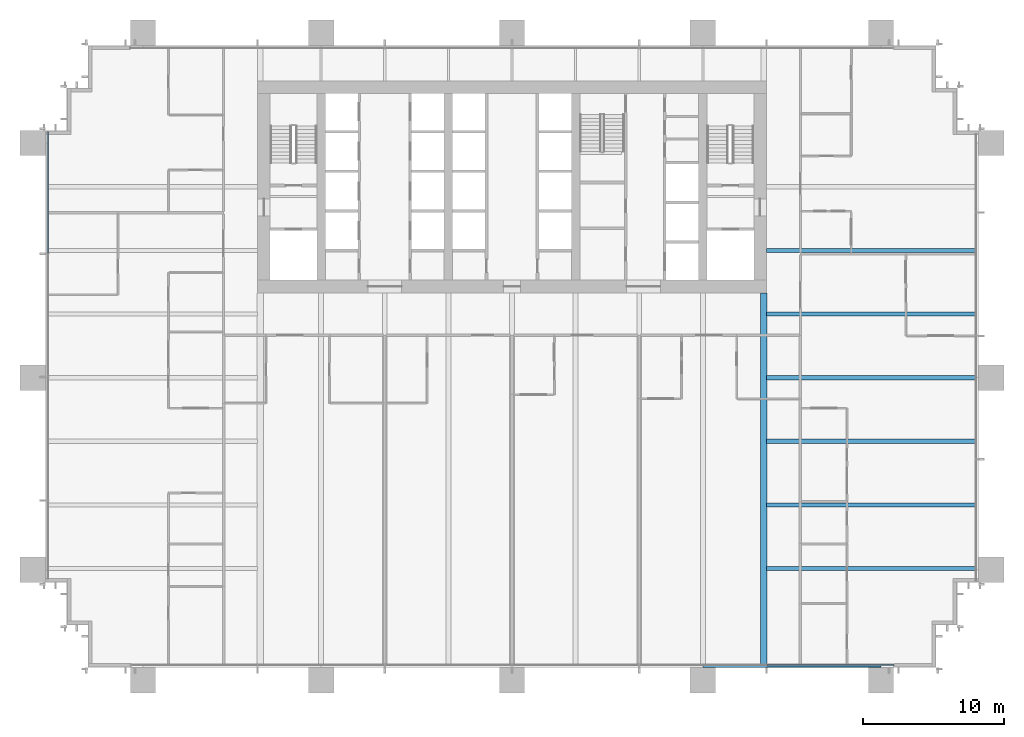
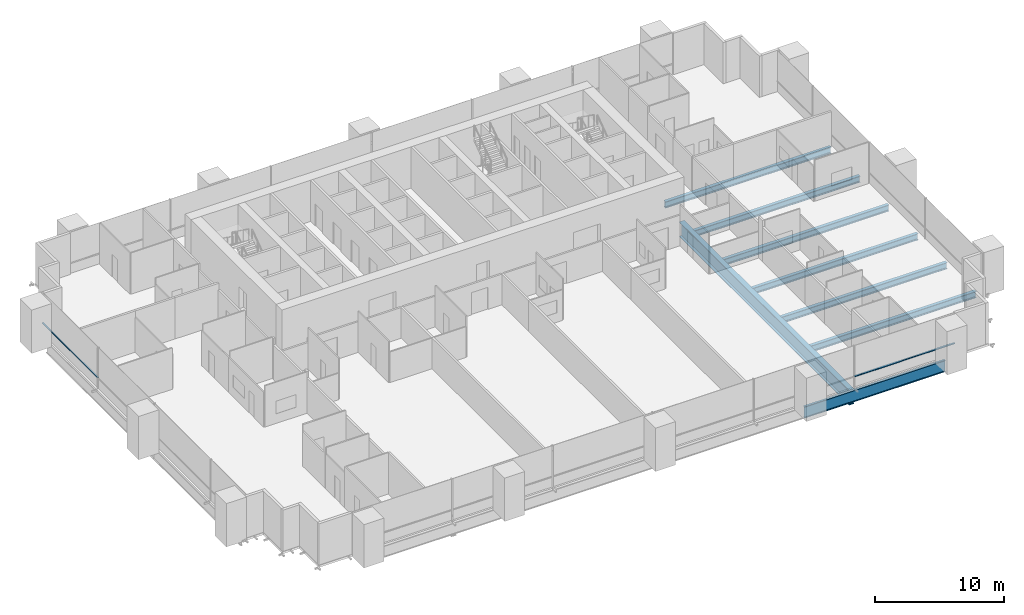
# One storey, part 6 of 18: 8 beams, 2 members, 2 elements without a shape of their own.
"""IFC4 building model written with IfcOpenShell, lengths in metres."""

from ifc_helpers import new_model, si_unit, direction, frame, origin, origin_2d, place, context, subcontext, project, spatial, rectangle, i_section, extrude, material, material_profile, profile_set, type_object, element, aggregate, save


model = new_model("IFC4")

# Units and contexts
model_context = context("Model", 3, precision=1e-05, world=origin(), true_north=direction((0.0, 1.0)))
body_context = subcontext(model_context, "Body", "Model", "MODEL_VIEW")
ifc_project = project(units=[si_unit("LENGTHUNIT", "METRE"), si_unit("AREAUNIT", "SQUARE_METRE"), si_unit("VOLUMEUNIT", "CUBIC_METRE"), si_unit("PLANEANGLEUNIT", "RADIAN"), si_unit("MASSUNIT", "GRAM", prefix="KILO")], contexts=[model_context])

# Site, building, storey
site_placement = place(None, origin())
site = spatial("IfcSite", under=ifc_project, at=site_placement, CompositionType="ELEMENT")
building_placement = place(site_placement, origin())
building = spatial("IfcBuilding", under=site, at=building_placement, Name="Rattan Terrace Tower", CompositionType="ELEMENT")
storey_placement = place(building_placement, frame((0.0, 0.0, 36.5)))
storey = spatial("IfcBuildingStorey", under=building, at=storey_placement, Name="L07", CompositionType="ELEMENT", Elevation=36.5)

# Curtain wall, member
ifc_material_1 = material(Name="Aluminium and glass", Category="aluminium")
curtain_wall_type = type_object("IfcCurtainWallType", Name="Facade Unitised Curtain Wall", PredefinedType="NOTDEFINED", material=ifc_material_1)
curtain_wall_1_placement = place(storey_placement, origin())
curtain_wall_1 = element("IfcCurtainWall", 1, at=curtain_wall_1_placement, inside=storey, type_object=curtain_wall_type, Name="Curtain wall L07-3", PredefinedType="NOTDEFINED")
ifc_material_2 = material(Name="Aluminium", Category="aluminium")
ifc_material_profile_1 = material_profile(ifc_material_2, rectangle(XDim=0.1201171875, YDim=0.06005859375, at=origin_2d()), Name="Aluminium 120x60")
ifc_profile_set_1 = profile_set([ifc_material_profile_1], Name="Aluminium")
member_type = type_object("IfcMemberType", Name="Facade CW Transom 120x60", PredefinedType="USERDEFINED", material=ifc_profile_set_1)
member_1_placement = place(storey_placement, frame((-32.830078125, 3.89501953125, 1.0), z_axis=(0.0, -1.0, 0.0), x_axis=(1.0, 0.0, 0.0)))
member_1 = element("IfcMember", 2, at=member_1_placement, type_object=member_type, Name="Transom cwl-L07-003.1", ObjectType="TRANSOM", PredefinedType="USERDEFINED", context=body_context, shape_type="SweptSolid", body=[
    extrude(rectangle(XDim=0.1201171875, YDim=0.06005859375, at=origin_2d()), origin(), (0.0, 0.0, 1.0), 8.592041015625),
])
aggregate(curtain_wall_1, [member_1])

curtain_wall_2_placement = place(storey_placement, origin())
curtain_wall_2 = element("IfcCurtainWall", 3, at=curtain_wall_2_placement, inside=storey, type_object=curtain_wall_type, Name="Curtain wall L07-4", PredefinedType="NOTDEFINED")
member_2_placement = place(storey_placement, frame((18.030029296875, -33.830078125, 1.0), z_axis=(1.0, 0.0, 0.0), x_axis=(0.0, 1.0, 0.0)))
member_2 = element("IfcMember", 4, at=member_2_placement, type_object=member_type, Name="Transom cwl-L07-004.6", ObjectType="TRANSOM", PredefinedType="USERDEFINED", context=body_context, shape_type="SweptSolid", body=[
    extrude(rectangle(XDim=0.1201171875, YDim=0.06005859375, at=origin_2d()), origin(), (0.0, 0.0, 1.0), 8.969970703125),
])
aggregate(curtain_wall_2, [member_2])

# Beams
ifc_material_3 = material(Name="Steel S460", Category="steel")
ifc_material_profile_2 = material_profile(ifc_material_3, i_section(OverallWidth=0.449951171875, OverallDepth=1.39990234375, WebThickness=0.02197265625, FlangeThickness=0.054931640625, at=origin_2d()), Name="PG 1400x450-22-55")
ifc_profile_set_2 = profile_set([ifc_material_profile_2], Name="Steel S460")
beam_type_1 = type_object("IfcBeamType", Name="Frame core girder PG 1400x450-22-55", PredefinedType="BEAM", material=ifc_profile_set_2)
beam_1_placement = place(storey_placement, frame((17.800048828125, -33.820068359375, -0.89990234375), z_axis=(0.0, 1.0, 0.0), x_axis=(-1.0, 0.0, 0.0)))
element("IfcBeam", 5, at=beam_1_placement, inside=storey, type_object=beam_type_1, Name="gdr-L07-014", PredefinedType="BEAM", context=body_context, shape_type="SweptSolid", body=[
    extrude(i_section(OverallWidth=0.449951171875, OverallDepth=1.39990234375, WebThickness=0.02197265625, FlangeThickness=0.054931640625, at=origin_2d()), origin(), (0.0, 0.0, 1.0), 26.320068359375),
])
ifc_material_4 = material(Name="Steel S460", Category="steel")
ifc_material_profile_3 = material_profile(ifc_material_4, i_section(OverallWidth=0.179931640625, OverallDepth=1.10009765625, WebThickness=0.01611328125, FlangeThickness=0.050048828125, at=origin_2d()), Name="PG 1100x180-16-50")
ifc_profile_set_3 = profile_set([ifc_material_profile_3], Name="Steel S460")
beam_type_2 = type_object("IfcBeamType", Name="Frame edge girder PG 1100x180-16-50", PredefinedType="SPANDREL", material=ifc_profile_set_3)
beam_2_placement = place(storey_placement, frame((13.5, -33.909912109375, -0.75), z_axis=(1.0, 0.0, 0.0), x_axis=(0.0, 1.0, 0.0)))
element("IfcBeam", 6, at=beam_2_placement, inside=storey, type_object=beam_type_2, Name="gdr-L07-004", PredefinedType="SPANDREL", context=body_context, shape_type="SweptSolid", body=[
    extrude(i_section(OverallWidth=0.179931640625, OverallDepth=1.10009765625, WebThickness=0.01611328125, FlangeThickness=0.050048828125, at=origin_2d()), origin(), (0.0, 0.0, 1.0), 12.60009765625),
])
ifc_material_5 = material(Name="Steel S355", Category="steel")
ifc_material_profile_4 = material_profile(ifc_material_5, i_section(OverallWidth=0.300048828125, OverallDepth=0.60009765625, WebThickness=0.015380859375, FlangeThickness=0.030029296875, FilletRadius=0.027099609375, at=origin_2d()), Name="HE 600 B")
ifc_profile_set_4 = profile_set([ifc_material_profile_4], Name="Steel S355")
beam_type_3 = type_object("IfcBeamType", Name="Frame floor beam HE 600 B", PredefinedType="JOIST", material=ifc_profile_set_4)
for number, where, z_axis, x_axis, name in (
    (7, (18.0, -27.0, -0.5), (1.0, 0.0, 0.0), (0.0, 1.0, 0.0), "bm-L07-011"),
    (8, (18.0, -22.5, -0.5), (1.0, 0.0, 0.0), (0.0, 1.0, 0.0), "bm-L07-013"),
    (9, (18.0, -18.0, -0.5), (1.0, 0.0, 0.0), (0.0, 1.0, 0.0), "bm-L07-015"),
    (10, (18.0, -13.5, -0.5), (1.0, 0.0, 0.0), (0.0, 1.0, 0.0), "bm-L07-017"),
    (11, (18.0, -9.0, -0.5), (1.0, 0.0, 0.0), (0.0, 1.0, 0.0), "bm-L07-019"),
    (12, (18.0, -4.5, -0.5), (1.0, 0.0, 0.0), (0.0, 1.0, 0.0), "bm-L07-021"),
):
    element("IfcBeam", number, at=place(storey_placement, frame(where, z_axis=z_axis, x_axis=x_axis)), inside=storey, type_object=beam_type_3, Name=name, PredefinedType="JOIST", context=body_context, shape_type="SweptSolid", body=[
        extrude(i_section(OverallWidth=0.300048828125, OverallDepth=0.60009765625, WebThickness=0.015380859375, FlangeThickness=0.030029296875, FilletRadius=0.027099609375, at=origin_2d()), origin(), (0.0, 0.0, 1.0), 14.820068359375),
    ])

save(model, "model.ifc")
